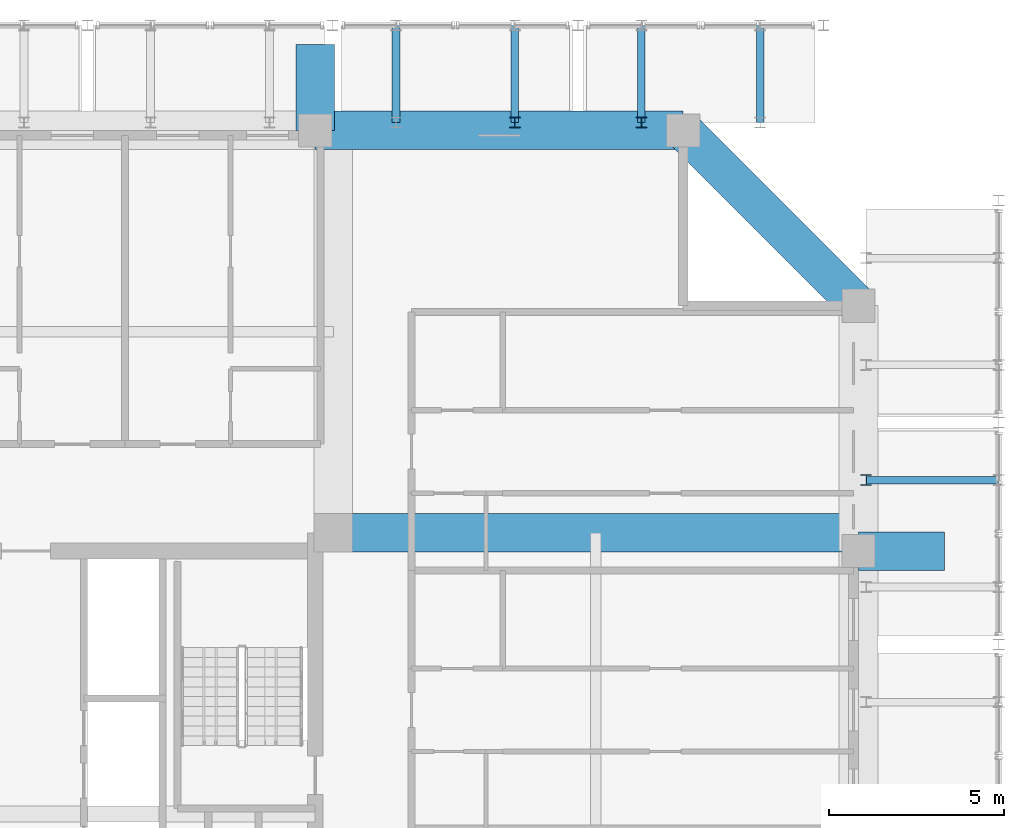
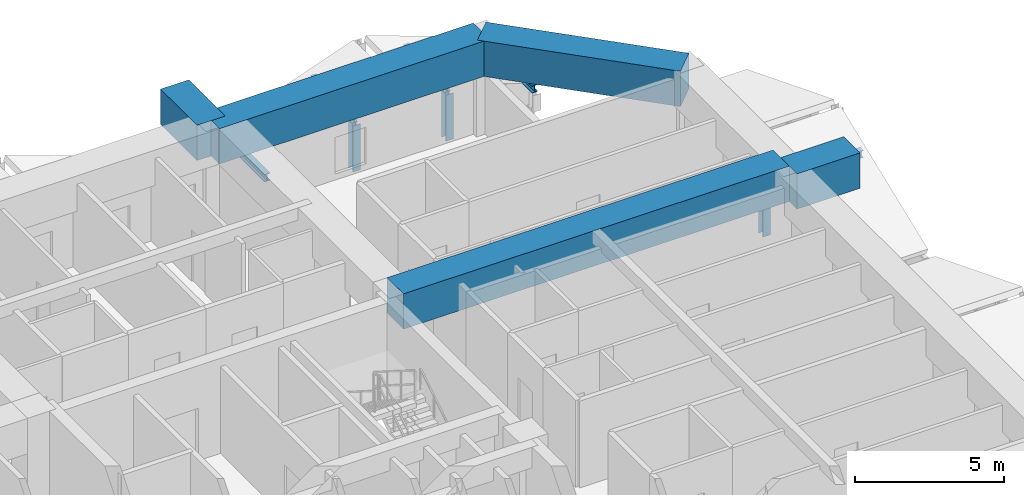
# One storey, part 25 of 45: 8 members, 5 beams.
"""IFC4 building model written with IfcOpenShell, lengths in metres."""

from ifc_helpers import new_model, si_unit, direction, frame, origin, origin_2d, place, context, subcontext, project, spatial, rectangle, i_section, extrude, source, transform, mapped, material, material_profile, profile_set, type_object, element, save


model = new_model("IFC4")

# Units and contexts
model_context = context("Model", 3, precision=1e-05, world=origin(), true_north=direction((0.0, 1.0)))
body_context = subcontext(model_context, "Body", "Model", "MODEL_VIEW")
ifc_project = project(units=[si_unit("LENGTHUNIT", "METRE"), si_unit("AREAUNIT", "SQUARE_METRE"), si_unit("VOLUMEUNIT", "CUBIC_METRE"), si_unit("PLANEANGLEUNIT", "RADIAN"), si_unit("MASSUNIT", "GRAM", prefix="KILO")], contexts=[model_context])

# Site, building, storey
site_placement = place(None, origin())
site = spatial("IfcSite", under=ifc_project, at=site_placement, CompositionType="ELEMENT")
building_placement = place(site_placement, origin())
building = spatial("IfcBuilding", under=site, at=building_placement, Name="Saelheon Loggia Tower", CompositionType="ELEMENT")
storey_placement = place(building_placement, frame((0.0, 0.0, 152.199951171875)))
storey = spatial("IfcBuildingStorey", under=building, at=storey_placement, Name="L48", CompositionType="ELEMENT", Elevation=152.199951171875)

# Members
ifc_material_1 = material(Name="Steel SM355", Category="steel")
ifc_material_profile_1 = material_profile(ifc_material_1, i_section(OverallWidth=0.219970703125, OverallDepth=0.300048828125, WebThickness=0.011962890625, FlangeThickness=0.02001953125, at=origin_2d()), Name="H-300x220x12x20")
ifc_profile_set_1 = profile_set([ifc_material_profile_1], Name="Steel SM355")
member_type_1 = type_object("IfcMemberType", Name="Roof_ShoulderPurlin_RHS300", PredefinedType="PURLIN", material=ifc_profile_set_1)
shared_shape_1 = source(origin(), body_context, "Body", "SweptSolid", [
    extrude(i_section(OverallWidth=0.219970703125, OverallDepth=0.300048828125, WebThickness=0.011962890625, FlangeThickness=0.02001953125, at=origin_2d()), origin(), (0.0, 0.0, 1.0), 3.780029296875),
])
member_1_placement = place(storey_placement, frame((64.0, 38.02197265625, 1.823486328125), z_axis=(-1.0, 0.0, 0.0), x_axis=(0.0, -1.0, 0.0)))
element("IfcMember", 1, at=member_1_placement, inside=storey, type_object=member_type_1, Name="Tier 1 Wave Crest Rafter E 05 B", PredefinedType="PURLIN", context=body_context, shape_type="MappedRepresentation", body=[
    mapped(shared_shape_1, transform((0.0, 0.0, 0.0), scale=1.0)),
])
ifc_material_profile_2 = material_profile(ifc_material_1, i_section(OverallWidth=0.300048828125, OverallDepth=0.300048828125, WebThickness=0.010009765625, FlangeThickness=0.014892578125, at=origin_2d()), Name="H-300x300x10x15")
ifc_profile_set_2 = profile_set([ifc_material_profile_2], Name="Steel SM355")
member_type_2 = type_object("IfcMemberType", Name="Belt_Post_H300", PredefinedType="POST", material=ifc_profile_set_2)
shared_shape_2 = source(origin(), body_context, "Body", "SweptSolid", [
    extrude(i_section(OverallWidth=0.300048828125, OverallDepth=0.300048828125, WebThickness=0.010009765625, FlangeThickness=0.014892578125, at=origin_2d()), origin(), (0.0, 0.0, 1.0), 1.87353515625),
])
member_2_placement = place(storey_placement, frame((60.219970703125, 38.02197265625, -0.199951171875), z_axis=(0.0, 0.0, 1.0), x_axis=(1.0, 0.0, 0.0)))
element("IfcMember", 2, at=member_2_placement, inside=storey, type_object=member_type_2, Name="Tier 1 Rafter Inner Post E 05", PredefinedType="POST", context=body_context, shape_type="MappedRepresentation", body=[
    mapped(shared_shape_2, transform((0.0, 0.0, 0.0), scale=1.0)),
])
shared_shape_3 = source(origin(), body_context, "Body", "SweptSolid", [
    extrude(i_section(OverallWidth=0.219970703125, OverallDepth=0.300048828125, WebThickness=0.011962890625, FlangeThickness=0.02001953125, at=origin_2d()), origin(), (0.0, 0.0, 1.0), 2.780029296875),
])
for number, where, z_axis, x_axis, name in (
    (3, (46.8046875, 51.0, 0.626220703125), (0.0, -1.0, 0.0), (1.0, 0.0, 0.0), "Tier 1 Wave Crest Rafter N 05 A"),
    (4, (50.1953125, 51.0, 1.837158203125), (0.0, -1.0, 0.0), (1.0, 0.0, 0.0), "Tier 1 Wave Crest Rafter N 05 B"),
    (5, (53.8046875, 51.0, 1.837158203125), (0.0, -1.0, 0.0), (1.0, 0.0, 0.0), "Tier 1 Wave Crest Rafter N 06 A"),
    (6, (57.1953125, 51.0, 0.626220703125), (0.0, -1.0, 0.0), (1.0, 0.0, 0.0), "Tier 1 Wave Crest Rafter N 06 B"),
):
    element("IfcMember", number, at=place(storey_placement, frame(where, z_axis=z_axis, x_axis=x_axis)), inside=storey, type_object=member_type_1, Name=name, PredefinedType="PURLIN", context=body_context, shape_type="MappedRepresentation", body=[
        mapped(shared_shape_3, transform((0.0, 0.0, 0.0), scale=1.0)),
    ])
shared_shape_4 = source(origin(), body_context, "Body", "SweptSolid", [
    extrude(i_section(OverallWidth=0.300048828125, OverallDepth=0.300048828125, WebThickness=0.010009765625, FlangeThickness=0.014892578125, at=origin_2d()), origin(), (0.0, 0.0, 1.0), 1.886962890625),
])
for number, where, z_axis, x_axis, name in (
    (7, (50.1953125, 48.219970703125, -0.199951171875), (0.0, 0.0, 1.0), (1.0, 0.0, 0.0), "Tier 1 Rafter Inner Post N 05"),
    (8, (53.8046875, 48.219970703125, -0.199951171875), (0.0, 0.0, 1.0), (1.0, 0.0, 0.0), "Tier 1 Rafter Inner Post N 06"),
):
    element("IfcMember", number, at=place(storey_placement, frame(where, z_axis=z_axis, x_axis=x_axis)), inside=storey, type_object=member_type_2, Name=name, PredefinedType="POST", context=body_context, shape_type="MappedRepresentation", body=[
        mapped(shared_shape_4, transform((0.0, 0.0, 0.0), scale=1.0)),
    ])

# Beams
ifc_material_2 = material(Name="Concrete C50/60", Category="concrete")
ifc_material_profile_3 = material_profile(ifc_material_2, rectangle(XDim=1.10009765625, YDim=1.449951171875, at=origin_2d()), Name="RC-1100x1450")
ifc_profile_set_3 = profile_set([ifc_material_profile_3], Name="Concrete C50/60")
beam_type_1 = type_object("IfcBeamType", Name="Beam_PerimTransfer_RC1100x1450", PredefinedType="BEAM", material=ifc_profile_set_3)
shared_shape_5 = source(origin(), body_context, "Body", "SweptSolid", [
    extrude(rectangle(XDim=1.10009765625, YDim=1.449951171875, at=origin_2d()), origin(), (0.0, 0.0, 1.0), 2.449951171875),
])
for number, where, z_axis, x_axis, name in (
    (9, (44.5, 48.0, 3.175048828125), (0.0, 1.0, 0.0), (-1.0, 0.0, 0.0), "L48 Loggia Transfer Tie Beam LP-N2"),
    (10, (60.0, 36.0, 3.175048828125), (1.0, 0.0, 0.0), (0.0, 1.0, 0.0), "L48 Loggia Transfer Tie Beam LP-E2"),
):
    element("IfcBeam", number, at=place(storey_placement, frame(where, z_axis=z_axis, x_axis=x_axis)), inside=storey, type_object=beam_type_1, Name=name, PredefinedType="BEAM", context=body_context, shape_type="MappedRepresentation", body=[
        mapped(shared_shape_5, transform((0.0, 0.0, 0.0), scale=1.0)),
    ])
shared_shape_6 = source(origin(), body_context, "Body", "SweptSolid", [
    extrude(rectangle(XDim=1.10009765625, YDim=1.449951171875, at=origin_2d()), origin(), (0.0, 0.0, 1.0), 10.5),
])
beam_1_placement = place(storey_placement, frame((55.0, 48.0, 3.175048828125), z_axis=(-1.0, 0.0, 0.0), x_axis=(0.0, -1.0, 0.0)))
element("IfcBeam", 11, at=beam_1_placement, inside=storey, type_object=beam_type_1, Name="L48 Perimeter Frame Girder 09", PredefinedType="BEAM", context=body_context, shape_type="MappedRepresentation", body=[
    mapped(shared_shape_6, transform((0.0, 0.0, 0.0), scale=1.0)),
])
shared_shape_7 = source(origin(), body_context, "Body", "SweptSolid", [
    extrude(rectangle(XDim=1.10009765625, YDim=1.449951171875, at=origin_2d()), origin(), (0.0, 0.0, 1.0), 7.071044921875),
])
beam_2_placement = place(storey_placement, frame((60.0, 43.0, 3.175048828125), z_axis=(-0.707106781187, 0.707106781187, 0.0), x_axis=(-0.707106781187, -0.707106781187, 0.0)))
element("IfcBeam", 12, at=beam_2_placement, inside=storey, type_object=beam_type_1, Name="L48 Perimeter Frame Girder 08", PredefinedType="BEAM", context=body_context, shape_type="MappedRepresentation", body=[
    mapped(shared_shape_7, transform((0.0, 0.0, 0.0), scale=1.0)),
])
ifc_material_profile_4 = material_profile(ifc_material_2, rectangle(XDim=1.10009765625, YDim=1.449951171875, at=origin_2d()), Name="RC-1100x1450")
ifc_profile_set_4 = profile_set([ifc_material_profile_4], Name="Concrete C50/60")
beam_type_2 = type_object("IfcBeamType", Name="Beam_Transfer_RC1100x1450", PredefinedType="BEAM", material=ifc_profile_set_4)
shared_shape_8 = source(origin(), body_context, "Body", "SweptSolid", [
    extrude(rectangle(XDim=1.10009765625, YDim=1.449951171875, at=origin_2d()), origin(), (0.0, 0.0, 1.0), 14.97998046875),
])
beam_3_placement = place(storey_placement, frame((45.02001953125, 36.52001953125, 3.175048828125), z_axis=(1.0, 0.0, 0.0), x_axis=(0.0, 1.0, 0.0)))
element("IfcBeam", 13, at=beam_3_placement, inside=storey, type_object=beam_type_2, Name="L48 Radial Floor Girder RAD-NE-E", PredefinedType="BEAM", context=body_context, shape_type="MappedRepresentation", body=[
    mapped(shared_shape_8, transform((0.0, 0.0, 0.0), scale=1.0)),
])

save(model, "model.ifc")
